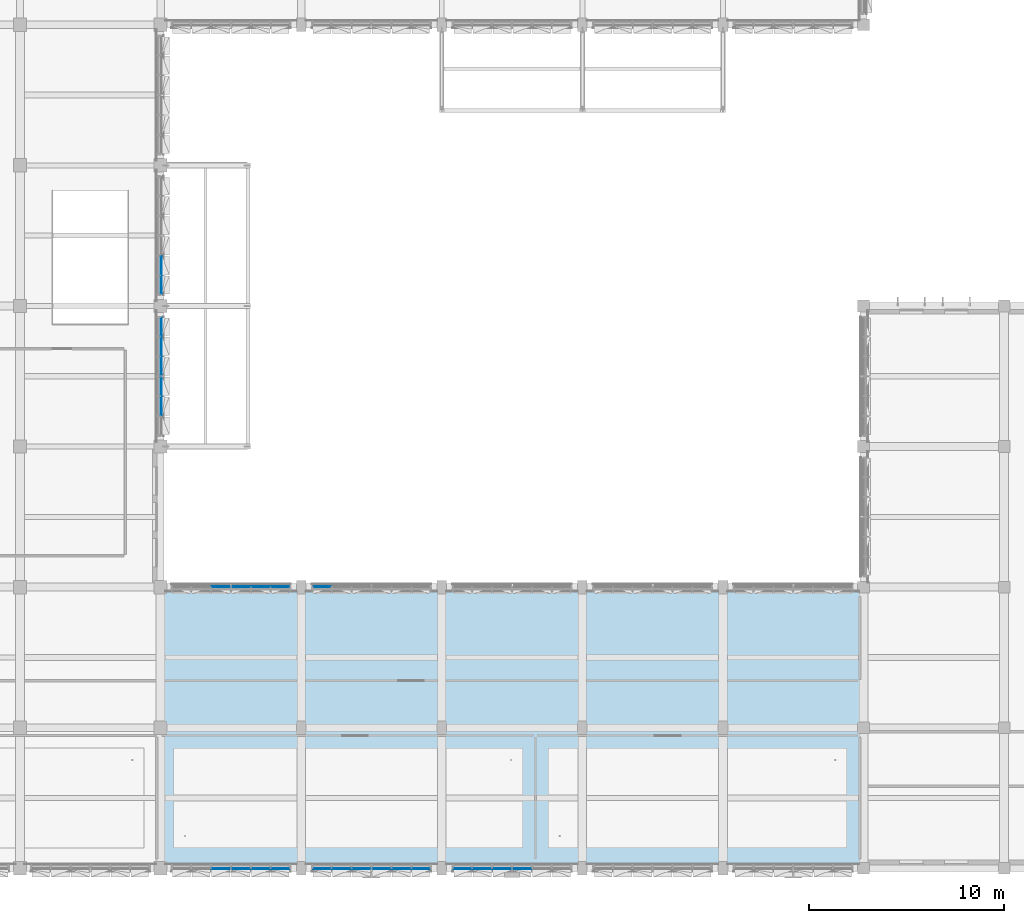
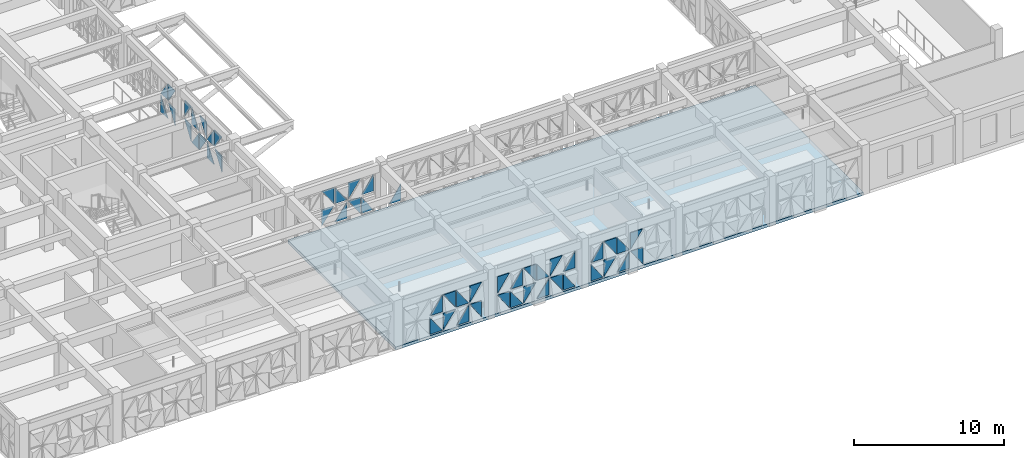
# One storey, part 30 of 88: 51 plates, 1 slab, 7 elements without a shape of their own.
"""IFC4 building model written with IfcOpenShell, lengths in metres."""

from ifc_helpers import new_model, si_unit, direction, frame, origin, place, context, subcontext, project, spatial, polyline, outline, extrude, material, layer, layer_set, type_object, element, aggregate, save


model = new_model("IFC4")

# Units and contexts
model_context = context("Model", 3, precision=1e-05, world=origin(), true_north=direction((0.0, 1.0)))
body_context = subcontext(model_context, "Body", "Model", "MODEL_VIEW")
ifc_project = project(units=[si_unit("LENGTHUNIT", "METRE"), si_unit("AREAUNIT", "SQUARE_METRE"), si_unit("VOLUMEUNIT", "CUBIC_METRE"), si_unit("PLANEANGLEUNIT", "RADIAN"), si_unit("MASSUNIT", "GRAM", prefix="KILO")], contexts=[model_context])

# Site, building, storey
site_placement = place(None, origin())
site = spatial("IfcSite", under=ifc_project, at=site_placement, CompositionType="ELEMENT")
building_placement = place(site_placement, origin())
building = spatial("IfcBuilding", under=site, at=building_placement, Name="Alvorim Cloister Faculty of Sciences", CompositionType="ELEMENT")
storey_placement = place(building_placement, frame((0.0, 0.0, 4.5)))
storey = spatial("IfcBuildingStorey", under=building, at=storey_placement, Name="L01", CompositionType="ELEMENT", Elevation=4.5)

# Curtain wall, plates
ifc_material_1 = material(Name="Aluminium and Low-E Glass Curtain Wall", Category="aluminium")
curtain_wall_type = type_object("IfcCurtainWallType", Name="CW-TRI-6120x3170", PredefinedType="USERDEFINED", material=ifc_material_1)
curtain_wall_1_placement = place(storey_placement, origin())
curtain_wall_1 = element("IfcCurtainWall", 1, at=curtain_wall_1_placement, inside=storey, type_object=curtain_wall_type, Name="L01 Diagonal Cassette Curtain Wall CW-0025", ObjectType="UNITISED CURTAIN WALL", PredefinedType="USERDEFINED")
ifc_material_2 = material(Name="Double Low-E Laminated Glass", Category="glass")
ifc_layer_1 = layer(ifc_material_2, 0.0400390625)
ifc_layer_set_1 = layer_set([ifc_layer_1], Name="Double Low-E Laminated Glass")
plate_type = type_object("IfcPlateType", Name="PN-GLZ-40", PredefinedType="CURTAIN_PANEL", material=ifc_layer_set_1)
plate_1_placement = place(storey_placement, frame((28.824951171875, 29.4150390625, 0.159912109375), z_axis=(0.0, 0.0, 1.0), x_axis=(0.0, 1.0, 0.0)))
plate_1 = element("IfcPlate", 2, at=plate_1_placement, type_object=plate_type, Name="Diagonal Glazed Triangle TRI-TL", PredefinedType="CURTAIN_PANEL", context=body_context, shape_type="SweptSolid", body=[
    extrude(outline(polyline([(0.905517578125, 1.344970703125), (0.0, 1.344970703125), (0.0, 0.001953125), (0.905517578125, 1.344970703125)])), frame((0.0, 0.02490234375, 0.0), z_axis=(0.0, -1.0, 0.0), x_axis=(1.0, 0.0, 0.0)), (0.0, 0.0, 1.0), 0.050048828125),
])
plate_2_placement = place(storey_placement, frame((28.824951171875, 29.4150390625, 1.6650390625), z_axis=(0.0, 0.0, 1.0), x_axis=(0.0, 1.0, 0.0)))
plate_2 = element("IfcPlate", 3, at=plate_2_placement, type_object=plate_type, Name="Diagonal Glazed Triangle TRI-TR", PredefinedType="CURTAIN_PANEL", context=body_context, shape_type="SweptSolid", body=[
    extrude(outline(polyline([(0.907470703125, 0.001953125), (0.907470703125, 1.344970703125), (0.001953125, 1.344970703125), (0.907470703125, 0.001953125)])), frame((0.0, 0.02490234375, 0.0), z_axis=(0.0, -1.0, 0.0), x_axis=(1.0, 0.0, 0.0)), (0.0, 0.0, 1.0), 0.050048828125),
])
plate_3_placement = place(storey_placement, frame((28.824951171875, 30.3974609375, 0.159912109375), z_axis=(0.0, 0.0, 1.0), x_axis=(0.0, 1.0, 0.0)))
plate_3 = element("IfcPlate", 4, at=plate_3_placement, type_object=plate_type, Name="Diagonal Glazed Triangle TRI-BR", PredefinedType="CURTAIN_PANEL", context=body_context, shape_type="SweptSolid", body=[
    extrude(outline(polyline([(0.001953125, 0.0), (0.945068359375, 0.0), (0.945068359375, 1.343017578125), (0.001953125, 0.0)])), frame((0.0, 0.02490234375, 0.0), z_axis=(0.0, -1.0, 0.0), x_axis=(1.0, 0.0, 0.0)), (0.0, 0.0, 1.0), 0.050048828125),
])
plate_4_placement = place(storey_placement, frame((28.824951171875, 30.3974609375, 1.6650390625), z_axis=(0.0, 0.0, 1.0), x_axis=(0.0, 1.0, 0.0)))
plate_4 = element("IfcPlate", 5, at=plate_4_placement, type_object=plate_type, Name="Diagonal Glazed Triangle TRI-BL", PredefinedType="CURTAIN_PANEL", context=body_context, shape_type="SweptSolid", body=[
    extrude(outline(polyline([(0.0, 0.0), (0.943115234375, 0.0), (0.0, 1.343017578125), (0.0, 0.0)])), frame((0.0, 0.02490234375, 0.0), z_axis=(0.0, -1.0, 0.0), x_axis=(1.0, 0.0, 0.0)), (0.0, 0.0, 1.0), 0.050048828125),
])
aggregate(curtain_wall_1, [plate_1, plate_2, plate_3, plate_4])

curtain_wall_2_placement = place(storey_placement, origin())
curtain_wall_2 = element("IfcCurtainWall", 6, at=curtain_wall_2_placement, inside=storey, type_object=curtain_wall_type, Name="L01 Diagonal Cassette Curtain Wall CW-0026", ObjectType="UNITISED CURTAIN WALL", PredefinedType="USERDEFINED")
plate_5_placement = place(storey_placement, frame((28.824951171875, 23.197509765625, 0.159912109375), z_axis=(0.0, 0.0, 1.0), x_axis=(0.0, 1.0, 0.0)))
plate_5 = element("IfcPlate", 7, at=plate_5_placement, type_object=plate_type, Name="Diagonal Glazed Triangle TRI-TL", PredefinedType="CURTAIN_PANEL", context=body_context, shape_type="SweptSolid", body=[
    extrude(outline(polyline([(0.943115234375, 1.344970703125), (0.0, 1.344970703125), (0.0, 0.001953125), (0.943115234375, 1.344970703125)])), frame((0.0, 0.02490234375, 0.0), z_axis=(0.0, -1.0, 0.0), x_axis=(1.0, 0.0, 0.0)), (0.0, 0.0, 1.0), 0.050048828125),
])
plate_6_placement = place(storey_placement, frame((28.824951171875, 23.197509765625, 1.6650390625), z_axis=(0.0, 0.0, 1.0), x_axis=(0.0, 1.0, 0.0)))
plate_6 = element("IfcPlate", 8, at=plate_6_placement, type_object=plate_type, Name="Diagonal Glazed Triangle TRI-TR", PredefinedType="CURTAIN_PANEL", context=body_context, shape_type="SweptSolid", body=[
    extrude(outline(polyline([(0.945068359375, 0.001953125), (0.945068359375, 1.344970703125), (0.001953125, 1.344970703125), (0.945068359375, 0.001953125)])), frame((0.0, 0.02490234375, 0.0), z_axis=(0.0, -1.0, 0.0), x_axis=(1.0, 0.0, 0.0)), (0.0, 0.0, 1.0), 0.050048828125),
])
plate_7_placement = place(storey_placement, frame((28.824951171875, 24.217529296875, 0.159912109375), z_axis=(0.0, 0.0, 1.0), x_axis=(0.0, 1.0, 0.0)))
plate_7 = element("IfcPlate", 9, at=plate_7_placement, type_object=plate_type, Name="Diagonal Glazed Triangle TRI-BR", PredefinedType="CURTAIN_PANEL", context=body_context, shape_type="SweptSolid", body=[
    extrude(outline(polyline([(0.001953125, 0.0), (0.945068359375, 0.0), (0.945068359375, 1.343017578125), (0.001953125, 0.0)])), frame((0.0, 0.02490234375, 0.0), z_axis=(0.0, -1.0, 0.0), x_axis=(1.0, 0.0, 0.0)), (0.0, 0.0, 1.0), 0.050048828125),
])
plate_8_placement = place(storey_placement, frame((28.824951171875, 24.217529296875, 1.6650390625), z_axis=(0.0, 0.0, 1.0), x_axis=(0.0, 1.0, 0.0)))
plate_8 = element("IfcPlate", 10, at=plate_8_placement, type_object=plate_type, Name="Diagonal Glazed Triangle TRI-BL", PredefinedType="CURTAIN_PANEL", context=body_context, shape_type="SweptSolid", body=[
    extrude(outline(polyline([(0.0, 0.0), (0.943115234375, 0.0), (0.0, 1.343017578125), (0.0, 0.0)])), frame((0.0, 0.02490234375, 0.0), z_axis=(0.0, -1.0, 0.0), x_axis=(1.0, 0.0, 0.0)), (0.0, 0.0, 1.0), 0.050048828125),
])
plate_9_placement = place(storey_placement, frame((28.824951171875, 25.237548828125, 0.159912109375), z_axis=(0.0, 0.0, 1.0), x_axis=(0.0, 1.0, 0.0)))
plate_9 = element("IfcPlate", 11, at=plate_9_placement, type_object=plate_type, Name="Diagonal Glazed Triangle TRI-TR", PredefinedType="CURTAIN_PANEL", context=body_context, shape_type="SweptSolid", body=[
    extrude(outline(polyline([(0.945068359375, 0.001953125), (0.945068359375, 1.344970703125), (0.001953125, 1.344970703125), (0.945068359375, 0.001953125)])), frame((0.0, 0.02490234375, 0.0), z_axis=(0.0, -1.0, 0.0), x_axis=(1.0, 0.0, 0.0)), (0.0, 0.0, 1.0), 0.050048828125),
])
plate_10_placement = place(storey_placement, frame((28.824951171875, 25.237548828125, 1.6650390625), z_axis=(0.0, 0.0, 1.0), x_axis=(0.0, 1.0, 0.0)))
plate_10 = element("IfcPlate", 12, at=plate_10_placement, type_object=plate_type, Name="Diagonal Glazed Triangle TRI-TL", PredefinedType="CURTAIN_PANEL", context=body_context, shape_type="SweptSolid", body=[
    extrude(outline(polyline([(0.943115234375, 1.344970703125), (0.0, 1.344970703125), (0.0, 0.001953125), (0.943115234375, 1.344970703125)])), frame((0.0, 0.02490234375, 0.0), z_axis=(0.0, -1.0, 0.0), x_axis=(1.0, 0.0, 0.0)), (0.0, 0.0, 1.0), 0.050048828125),
])
plate_11_placement = place(storey_placement, frame((28.824951171875, 26.257568359375, 0.159912109375), z_axis=(0.0, 0.0, 1.0), x_axis=(0.0, 1.0, 0.0)))
plate_11 = element("IfcPlate", 13, at=plate_11_placement, type_object=plate_type, Name="Diagonal Glazed Triangle TRI-BL", PredefinedType="CURTAIN_PANEL", context=body_context, shape_type="SweptSolid", body=[
    extrude(outline(polyline([(0.0, 0.0), (0.943115234375, 0.0), (0.0, 1.343017578125), (0.0, 0.0)])), frame((0.0, 0.02490234375, 0.0), z_axis=(0.0, -1.0, 0.0), x_axis=(1.0, 0.0, 0.0)), (0.0, 0.0, 1.0), 0.050048828125),
])
plate_12_placement = place(storey_placement, frame((28.824951171875, 26.257568359375, 1.6650390625), z_axis=(0.0, 0.0, 1.0), x_axis=(0.0, 1.0, 0.0)))
plate_12 = element("IfcPlate", 14, at=plate_12_placement, type_object=plate_type, Name="Diagonal Glazed Triangle TRI-BR", PredefinedType="CURTAIN_PANEL", context=body_context, shape_type="SweptSolid", body=[
    extrude(outline(polyline([(0.001953125, 0.0), (0.945068359375, 0.0), (0.945068359375, 1.343017578125), (0.001953125, 0.0)])), frame((0.0, 0.02490234375, 0.0), z_axis=(0.0, -1.0, 0.0), x_axis=(1.0, 0.0, 0.0)), (0.0, 0.0, 1.0), 0.050048828125),
])
plate_13_placement = place(storey_placement, frame((28.824951171875, 27.277587890625, 0.159912109375), z_axis=(0.0, 0.0, 1.0), x_axis=(0.0, 1.0, 0.0)))
plate_13 = element("IfcPlate", 15, at=plate_13_placement, type_object=plate_type, Name="Diagonal Glazed Triangle TRI-TL", PredefinedType="CURTAIN_PANEL", context=body_context, shape_type="SweptSolid", body=[
    extrude(outline(polyline([(0.905517578125, 1.344970703125), (0.0, 1.344970703125), (0.0, 0.001953125), (0.905517578125, 1.344970703125)])), frame((0.0, 0.02490234375, 0.0), z_axis=(0.0, -1.0, 0.0), x_axis=(1.0, 0.0, 0.0)), (0.0, 0.0, 1.0), 0.050048828125),
])
plate_14_placement = place(storey_placement, frame((28.824951171875, 27.277587890625, 1.6650390625), z_axis=(0.0, 0.0, 1.0), x_axis=(0.0, 1.0, 0.0)))
plate_14 = element("IfcPlate", 16, at=plate_14_placement, type_object=plate_type, Name="Diagonal Glazed Triangle TRI-TR", PredefinedType="CURTAIN_PANEL", context=body_context, shape_type="SweptSolid", body=[
    extrude(outline(polyline([(0.907470703125, 0.001953125), (0.907470703125, 1.344970703125), (0.001953125, 1.344970703125), (0.907470703125, 0.001953125)])), frame((0.0, 0.02490234375, 0.0), z_axis=(0.0, -1.0, 0.0), x_axis=(1.0, 0.0, 0.0)), (0.0, 0.0, 1.0), 0.050048828125),
])
aggregate(curtain_wall_2, [plate_5, plate_6, plate_7, plate_8, plate_9, plate_10, plate_11, plate_12, plate_13, plate_14])

curtain_wall_3_placement = place(storey_placement, origin())
curtain_wall_3 = element("IfcCurtainWall", 17, at=curtain_wall_3_placement, inside=storey, type_object=curtain_wall_type, Name="L01 Diagonal Cassette Curtain Wall CW-0027", ObjectType="UNITISED CURTAIN WALL", PredefinedType="USERDEFINED")
plate_15_placement = place(storey_placement, frame((31.41748046875, 14.425048828125, 0.159912109375), z_axis=(0.0, 0.0, 1.0), x_axis=(1.0, 0.0, 0.0)))
plate_15 = element("IfcPlate", 18, at=plate_15_placement, type_object=plate_type, Name="Diagonal Glazed Triangle TRI-TL", PredefinedType="CURTAIN_PANEL", context=body_context, shape_type="SweptSolid", body=[
    extrude(outline(polyline([(0.943115234375, 1.344970703125), (0.0, 1.344970703125), (0.0, 0.001953125), (0.943115234375, 1.344970703125)])), frame((0.0, 0.02490234375, 0.0), z_axis=(0.0, -1.0, 0.0), x_axis=(1.0, 0.0, 0.0)), (0.0, 0.0, 1.0), 0.050048828125),
])
plate_16_placement = place(storey_placement, frame((31.41748046875, 14.425048828125, 1.6650390625), z_axis=(0.0, 0.0, 1.0), x_axis=(1.0, 0.0, 0.0)))
plate_16 = element("IfcPlate", 19, at=plate_16_placement, type_object=plate_type, Name="Diagonal Glazed Triangle TRI-TR", PredefinedType="CURTAIN_PANEL", context=body_context, shape_type="SweptSolid", body=[
    extrude(outline(polyline([(0.945068359375, 0.001953125), (0.945068359375, 1.344970703125), (0.001953125, 1.344970703125), (0.945068359375, 0.001953125)])), frame((0.0, 0.02490234375, 0.0), z_axis=(0.0, -1.0, 0.0), x_axis=(1.0, 0.0, 0.0)), (0.0, 0.0, 1.0), 0.050048828125),
])
plate_17_placement = place(storey_placement, frame((32.4375, 14.425048828125, 0.159912109375), z_axis=(0.0, 0.0, 1.0), x_axis=(1.0, 0.0, 0.0)))
plate_17 = element("IfcPlate", 20, at=plate_17_placement, type_object=plate_type, Name="Diagonal Glazed Triangle TRI-BR", PredefinedType="CURTAIN_PANEL", context=body_context, shape_type="SweptSolid", body=[
    extrude(outline(polyline([(0.001953125, 0.0), (0.945068359375, 0.0), (0.945068359375, 1.343017578125), (0.001953125, 0.0)])), frame((0.0, 0.02490234375, 0.0), z_axis=(0.0, -1.0, 0.0), x_axis=(1.0, 0.0, 0.0)), (0.0, 0.0, 1.0), 0.050048828125),
])
plate_18_placement = place(storey_placement, frame((32.4375, 14.425048828125, 1.6650390625), z_axis=(0.0, 0.0, 1.0), x_axis=(1.0, 0.0, 0.0)))
plate_18 = element("IfcPlate", 21, at=plate_18_placement, type_object=plate_type, Name="Diagonal Glazed Triangle TRI-BL", PredefinedType="CURTAIN_PANEL", context=body_context, shape_type="SweptSolid", body=[
    extrude(outline(polyline([(0.0, 0.0), (0.943115234375, 0.0), (0.0, 1.343017578125), (0.0, 0.0)])), frame((0.0, 0.02490234375, 0.0), z_axis=(0.0, -1.0, 0.0), x_axis=(1.0, 0.0, 0.0)), (0.0, 0.0, 1.0), 0.050048828125),
])
plate_19_placement = place(storey_placement, frame((33.45751953125, 14.425048828125, 0.159912109375), z_axis=(0.0, 0.0, 1.0), x_axis=(1.0, 0.0, 0.0)))
plate_19 = element("IfcPlate", 22, at=plate_19_placement, type_object=plate_type, Name="Diagonal Glazed Triangle TRI-TR", PredefinedType="CURTAIN_PANEL", context=body_context, shape_type="SweptSolid", body=[
    extrude(outline(polyline([(0.945068359375, 0.001953125), (0.945068359375, 1.344970703125), (0.001953125, 1.344970703125), (0.945068359375, 0.001953125)])), frame((0.0, 0.02490234375, 0.0), z_axis=(0.0, -1.0, 0.0), x_axis=(1.0, 0.0, 0.0)), (0.0, 0.0, 1.0), 0.050048828125),
])
plate_20_placement = place(storey_placement, frame((33.45751953125, 14.425048828125, 1.6650390625), z_axis=(0.0, 0.0, 1.0), x_axis=(1.0, 0.0, 0.0)))
plate_20 = element("IfcPlate", 23, at=plate_20_placement, type_object=plate_type, Name="Diagonal Glazed Triangle TRI-TL", PredefinedType="CURTAIN_PANEL", context=body_context, shape_type="SweptSolid", body=[
    extrude(outline(polyline([(0.943115234375, 1.344970703125), (0.0, 1.344970703125), (0.0, 0.001953125), (0.943115234375, 1.344970703125)])), frame((0.0, 0.02490234375, 0.0), z_axis=(0.0, -1.0, 0.0), x_axis=(1.0, 0.0, 0.0)), (0.0, 0.0, 1.0), 0.050048828125),
])
plate_21_placement = place(storey_placement, frame((34.4775390625, 14.425048828125, 0.159912109375), z_axis=(0.0, 0.0, 1.0), x_axis=(1.0, 0.0, 0.0)))
plate_21 = element("IfcPlate", 24, at=plate_21_placement, type_object=plate_type, Name="Diagonal Glazed Triangle TRI-BL", PredefinedType="CURTAIN_PANEL", context=body_context, shape_type="SweptSolid", body=[
    extrude(outline(polyline([(0.0, 0.0), (0.905517578125, 0.0), (0.0, 1.343017578125), (0.0, 0.0)])), frame((0.0, 0.02490234375, 0.0), z_axis=(0.0, -1.0, 0.0), x_axis=(1.0, 0.0, 0.0)), (0.0, 0.0, 1.0), 0.050048828125),
])
plate_22_placement = place(storey_placement, frame((34.4775390625, 14.425048828125, 1.6650390625), z_axis=(0.0, 0.0, 1.0), x_axis=(1.0, 0.0, 0.0)))
plate_22 = element("IfcPlate", 25, at=plate_22_placement, type_object=plate_type, Name="Diagonal Glazed Triangle TRI-BR", PredefinedType="CURTAIN_PANEL", context=body_context, shape_type="SweptSolid", body=[
    extrude(outline(polyline([(0.001953125, 0.0), (0.907470703125, 0.0), (0.907470703125, 1.343017578125), (0.001953125, 0.0)])), frame((0.0, 0.02490234375, 0.0), z_axis=(0.0, -1.0, 0.0), x_axis=(1.0, 0.0, 0.0)), (0.0, 0.0, 1.0), 0.050048828125),
])
aggregate(curtain_wall_3, [plate_15, plate_16, plate_17, plate_18, plate_19, plate_20, plate_21, plate_22])

# Curtain wall, plate
curtain_wall_4_placement = place(storey_placement, origin())
curtain_wall_4 = element("IfcCurtainWall", 26, at=curtain_wall_4_placement, inside=storey, type_object=curtain_wall_type, Name="L01 Diagonal Cassette Curtain Wall CW-0028", ObjectType="UNITISED CURTAIN WALL", PredefinedType="USERDEFINED")
plate_23_placement = place(storey_placement, frame((36.614990234375, 14.425048828125, 0.159912109375), z_axis=(0.0, 0.0, 1.0), x_axis=(1.0, 0.0, 0.0)))
plate_23 = element("IfcPlate", 27, at=plate_23_placement, type_object=plate_type, Name="Diagonal Glazed Triangle TRI-BR", PredefinedType="CURTAIN_PANEL", context=body_context, shape_type="SweptSolid", body=[
    extrude(outline(polyline([(0.001953125, 0.0), (0.907470703125, 0.0), (0.907470703125, 1.343017578125), (0.001953125, 0.0)])), frame((0.0, 0.02490234375, 0.0), z_axis=(0.0, -1.0, 0.0), x_axis=(1.0, 0.0, 0.0)), (0.0, 0.0, 1.0), 0.050048828125),
])
aggregate(curtain_wall_4, [plate_23])

# Curtain wall, plates
curtain_wall_5_placement = place(storey_placement, origin())
curtain_wall_5 = element("IfcCurtainWall", 28, at=curtain_wall_5_placement, inside=storey, type_object=curtain_wall_type, Name="L01 Diagonal Cassette Curtain Wall CW-0042", ObjectType="UNITISED CURTAIN WALL", PredefinedType="USERDEFINED")
plate_24_placement = place(storey_placement, frame((43.81494140625, -0.02490234375, 0.159912109375), z_axis=(0.0, 0.0, 1.0), x_axis=(1.0, 0.0, 0.0)))
plate_24 = element("IfcPlate", 29, at=plate_24_placement, type_object=plate_type, Name="Diagonal Glazed Triangle TRI-BL", PredefinedType="CURTAIN_PANEL", context=body_context, shape_type="SweptSolid", body=[
    extrude(outline(polyline([(0.0, 0.0), (0.905517578125, 0.0), (0.0, 1.343017578125), (0.0, 0.0)])), frame((0.0, 0.02490234375, 0.0), z_axis=(0.0, -1.0, 0.0), x_axis=(1.0, 0.0, 0.0)), (0.0, 0.0, 1.0), 0.050048828125),
])
plate_25_placement = place(storey_placement, frame((43.81494140625, -0.02490234375, 1.6650390625), z_axis=(0.0, 0.0, 1.0), x_axis=(1.0, 0.0, 0.0)))
plate_25 = element("IfcPlate", 30, at=plate_25_placement, type_object=plate_type, Name="Diagonal Glazed Triangle TRI-BR", PredefinedType="CURTAIN_PANEL", context=body_context, shape_type="SweptSolid", body=[
    extrude(outline(polyline([(0.001953125, 0.0), (0.907470703125, 0.0), (0.907470703125, 1.343017578125), (0.001953125, 0.0)])), frame((0.0, 0.02490234375, 0.0), z_axis=(0.0, -1.0, 0.0), x_axis=(1.0, 0.0, 0.0)), (0.0, 0.0, 1.0), 0.050048828125),
])
plate_26_placement = place(storey_placement, frame((44.797607421875, -0.02490234375, 0.159912109375), z_axis=(0.0, 0.0, 1.0), x_axis=(1.0, 0.0, 0.0)))
plate_26 = element("IfcPlate", 31, at=plate_26_placement, type_object=plate_type, Name="Diagonal Glazed Triangle TRI-TL", PredefinedType="CURTAIN_PANEL", context=body_context, shape_type="SweptSolid", body=[
    extrude(outline(polyline([(0.943115234375, 1.344970703125), (0.0, 1.344970703125), (0.0, 0.001953125), (0.943115234375, 1.344970703125)])), frame((0.0, 0.02490234375, 0.0), z_axis=(0.0, -1.0, 0.0), x_axis=(1.0, 0.0, 0.0)), (0.0, 0.0, 1.0), 0.050048828125),
])
plate_27_placement = place(storey_placement, frame((44.797607421875, -0.02490234375, 1.6650390625), z_axis=(0.0, 0.0, 1.0), x_axis=(1.0, 0.0, 0.0)))
plate_27 = element("IfcPlate", 32, at=plate_27_placement, type_object=plate_type, Name="Diagonal Glazed Triangle TRI-TR", PredefinedType="CURTAIN_PANEL", context=body_context, shape_type="SweptSolid", body=[
    extrude(outline(polyline([(0.945068359375, 0.001953125), (0.945068359375, 1.344970703125), (0.001953125, 1.344970703125), (0.945068359375, 0.001953125)])), frame((0.0, 0.02490234375, 0.0), z_axis=(0.0, -1.0, 0.0), x_axis=(1.0, 0.0, 0.0)), (0.0, 0.0, 1.0), 0.050048828125),
])
plate_28_placement = place(storey_placement, frame((45.8173828125, -0.02490234375, 0.159912109375), z_axis=(0.0, 0.0, 1.0), x_axis=(1.0, 0.0, 0.0)))
plate_28 = element("IfcPlate", 33, at=plate_28_placement, type_object=plate_type, Name="Diagonal Glazed Triangle TRI-BR", PredefinedType="CURTAIN_PANEL", context=body_context, shape_type="SweptSolid", body=[
    extrude(outline(polyline([(0.001953125, 0.0), (0.945068359375, 0.0), (0.945068359375, 1.343017578125), (0.001953125, 0.0)])), frame((0.0, 0.02490234375, 0.0), z_axis=(0.0, -1.0, 0.0), x_axis=(1.0, 0.0, 0.0)), (0.0, 0.0, 1.0), 0.050048828125),
])
plate_29_placement = place(storey_placement, frame((45.8173828125, -0.02490234375, 1.6650390625), z_axis=(0.0, 0.0, 1.0), x_axis=(1.0, 0.0, 0.0)))
plate_29 = element("IfcPlate", 34, at=plate_29_placement, type_object=plate_type, Name="Diagonal Glazed Triangle TRI-BL", PredefinedType="CURTAIN_PANEL", context=body_context, shape_type="SweptSolid", body=[
    extrude(outline(polyline([(0.0, 0.0), (0.943115234375, 0.0), (0.0, 1.343017578125), (0.0, 0.0)])), frame((0.0, 0.02490234375, 0.0), z_axis=(0.0, -1.0, 0.0), x_axis=(1.0, 0.0, 0.0)), (0.0, 0.0, 1.0), 0.050048828125),
])
plate_30_placement = place(storey_placement, frame((46.83740234375, -0.02490234375, 0.159912109375), z_axis=(0.0, 0.0, 1.0), x_axis=(1.0, 0.0, 0.0)))
plate_30 = element("IfcPlate", 35, at=plate_30_placement, type_object=plate_type, Name="Diagonal Glazed Triangle TRI-TR", PredefinedType="CURTAIN_PANEL", context=body_context, shape_type="SweptSolid", body=[
    extrude(outline(polyline([(0.945068359375, 0.001953125), (0.945068359375, 1.344970703125), (0.001953125, 1.344970703125), (0.945068359375, 0.001953125)])), frame((0.0, 0.02490234375, 0.0), z_axis=(0.0, -1.0, 0.0), x_axis=(1.0, 0.0, 0.0)), (0.0, 0.0, 1.0), 0.050048828125),
])
plate_31_placement = place(storey_placement, frame((46.83740234375, -0.02490234375, 1.6650390625), z_axis=(0.0, 0.0, 1.0), x_axis=(1.0, 0.0, 0.0)))
plate_31 = element("IfcPlate", 36, at=plate_31_placement, type_object=plate_type, Name="Diagonal Glazed Triangle TRI-TL", PredefinedType="CURTAIN_PANEL", context=body_context, shape_type="SweptSolid", body=[
    extrude(outline(polyline([(0.943115234375, 1.344970703125), (0.0, 1.344970703125), (0.0, 0.001953125), (0.943115234375, 1.344970703125)])), frame((0.0, 0.02490234375, 0.0), z_axis=(0.0, -1.0, 0.0), x_axis=(1.0, 0.0, 0.0)), (0.0, 0.0, 1.0), 0.050048828125),
])
aggregate(curtain_wall_5, [plate_24, plate_25, plate_26, plate_27, plate_28, plate_29, plate_30, plate_31])

curtain_wall_6_placement = place(storey_placement, origin())
curtain_wall_6 = element("IfcCurtainWall", 37, at=curtain_wall_6_placement, inside=storey, type_object=curtain_wall_type, Name="L01 Diagonal Cassette Curtain Wall CW-0043", ObjectType="UNITISED CURTAIN WALL", PredefinedType="USERDEFINED")
plate_32_placement = place(storey_placement, frame((36.614990234375, -0.02490234375, 0.159912109375), z_axis=(0.0, 0.0, 1.0), x_axis=(1.0, 0.0, 0.0)))
plate_32 = element("IfcPlate", 38, at=plate_32_placement, type_object=plate_type, Name="Diagonal Glazed Triangle TRI-TR", PredefinedType="CURTAIN_PANEL", context=body_context, shape_type="SweptSolid", body=[
    extrude(outline(polyline([(0.907470703125, 0.001953125), (0.907470703125, 1.344970703125), (0.001953125, 1.344970703125), (0.907470703125, 0.001953125)])), frame((0.0, 0.02490234375, 0.0), z_axis=(0.0, -1.0, 0.0), x_axis=(1.0, 0.0, 0.0)), (0.0, 0.0, 1.0), 0.050048828125),
])
plate_33_placement = place(storey_placement, frame((36.614990234375, -0.02490234375, 1.6650390625), z_axis=(0.0, 0.0, 1.0), x_axis=(1.0, 0.0, 0.0)))
plate_33 = element("IfcPlate", 39, at=plate_33_placement, type_object=plate_type, Name="Diagonal Glazed Triangle TRI-TL", PredefinedType="CURTAIN_PANEL", context=body_context, shape_type="SweptSolid", body=[
    extrude(outline(polyline([(0.905517578125, 1.344970703125), (0.0, 1.344970703125), (0.0, 0.001953125), (0.905517578125, 1.344970703125)])), frame((0.0, 0.02490234375, 0.0), z_axis=(0.0, -1.0, 0.0), x_axis=(1.0, 0.0, 0.0)), (0.0, 0.0, 1.0), 0.050048828125),
])
plate_34_placement = place(storey_placement, frame((37.597412109375, -0.02490234375, 0.159912109375), z_axis=(0.0, 0.0, 1.0), x_axis=(1.0, 0.0, 0.0)))
plate_34 = element("IfcPlate", 40, at=plate_34_placement, type_object=plate_type, Name="Diagonal Glazed Triangle TRI-BL", PredefinedType="CURTAIN_PANEL", context=body_context, shape_type="SweptSolid", body=[
    extrude(outline(polyline([(0.0, 0.0), (0.943115234375, 0.0), (0.0, 1.343017578125), (0.0, 0.0)])), frame((0.0, 0.02490234375, 0.0), z_axis=(0.0, -1.0, 0.0), x_axis=(1.0, 0.0, 0.0)), (0.0, 0.0, 1.0), 0.050048828125),
])
plate_35_placement = place(storey_placement, frame((37.597412109375, -0.02490234375, 1.6650390625), z_axis=(0.0, 0.0, 1.0), x_axis=(1.0, 0.0, 0.0)))
plate_35 = element("IfcPlate", 41, at=plate_35_placement, type_object=plate_type, Name="Diagonal Glazed Triangle TRI-BR", PredefinedType="CURTAIN_PANEL", context=body_context, shape_type="SweptSolid", body=[
    extrude(outline(polyline([(0.001953125, 0.0), (0.945068359375, 0.0), (0.945068359375, 1.343017578125), (0.001953125, 0.0)])), frame((0.0, 0.02490234375, 0.0), z_axis=(0.0, -1.0, 0.0), x_axis=(1.0, 0.0, 0.0)), (0.0, 0.0, 1.0), 0.050048828125),
])
plate_36_placement = place(storey_placement, frame((38.617431640625, -0.02490234375, 0.159912109375), z_axis=(0.0, 0.0, 1.0), x_axis=(1.0, 0.0, 0.0)))
plate_36 = element("IfcPlate", 42, at=plate_36_placement, type_object=plate_type, Name="Diagonal Glazed Triangle TRI-TL", PredefinedType="CURTAIN_PANEL", context=body_context, shape_type="SweptSolid", body=[
    extrude(outline(polyline([(0.943115234375, 1.344970703125), (0.0, 1.344970703125), (0.0, 0.001953125), (0.943115234375, 1.344970703125)])), frame((0.0, 0.02490234375, 0.0), z_axis=(0.0, -1.0, 0.0), x_axis=(1.0, 0.0, 0.0)), (0.0, 0.0, 1.0), 0.050048828125),
])
plate_37_placement = place(storey_placement, frame((38.617431640625, -0.02490234375, 1.6650390625), z_axis=(0.0, 0.0, 1.0), x_axis=(1.0, 0.0, 0.0)))
plate_37 = element("IfcPlate", 43, at=plate_37_placement, type_object=plate_type, Name="Diagonal Glazed Triangle TRI-TR", PredefinedType="CURTAIN_PANEL", context=body_context, shape_type="SweptSolid", body=[
    extrude(outline(polyline([(0.945068359375, 0.001953125), (0.945068359375, 1.344970703125), (0.001953125, 1.344970703125), (0.945068359375, 0.001953125)])), frame((0.0, 0.02490234375, 0.0), z_axis=(0.0, -1.0, 0.0), x_axis=(1.0, 0.0, 0.0)), (0.0, 0.0, 1.0), 0.050048828125),
])
plate_38_placement = place(storey_placement, frame((39.637451171875, -0.02490234375, 0.159912109375), z_axis=(0.0, 0.0, 1.0), x_axis=(1.0, 0.0, 0.0)))
plate_38 = element("IfcPlate", 44, at=plate_38_placement, type_object=plate_type, Name="Diagonal Glazed Triangle TRI-BR", PredefinedType="CURTAIN_PANEL", context=body_context, shape_type="SweptSolid", body=[
    extrude(outline(polyline([(0.001953125, 0.0), (0.945068359375, 0.0), (0.945068359375, 1.343017578125), (0.001953125, 0.0)])), frame((0.0, 0.02490234375, 0.0), z_axis=(0.0, -1.0, 0.0), x_axis=(1.0, 0.0, 0.0)), (0.0, 0.0, 1.0), 0.050048828125),
])
plate_39_placement = place(storey_placement, frame((39.637451171875, -0.02490234375, 1.6650390625), z_axis=(0.0, 0.0, 1.0), x_axis=(1.0, 0.0, 0.0)))
plate_39 = element("IfcPlate", 45, at=plate_39_placement, type_object=plate_type, Name="Diagonal Glazed Triangle TRI-BL", PredefinedType="CURTAIN_PANEL", context=body_context, shape_type="SweptSolid", body=[
    extrude(outline(polyline([(0.0, 0.0), (0.943115234375, 0.0), (0.0, 1.343017578125), (0.0, 0.0)])), frame((0.0, 0.02490234375, 0.0), z_axis=(0.0, -1.0, 0.0), x_axis=(1.0, 0.0, 0.0)), (0.0, 0.0, 1.0), 0.050048828125),
])
plate_40_placement = place(storey_placement, frame((40.657470703125, -0.02490234375, 0.159912109375), z_axis=(0.0, 0.0, 1.0), x_axis=(1.0, 0.0, 0.0)))
plate_40 = element("IfcPlate", 46, at=plate_40_placement, type_object=plate_type, Name="Diagonal Glazed Triangle TRI-TR", PredefinedType="CURTAIN_PANEL", context=body_context, shape_type="SweptSolid", body=[
    extrude(outline(polyline([(0.945068359375, 0.001953125), (0.945068359375, 1.344970703125), (0.001953125, 1.344970703125), (0.945068359375, 0.001953125)])), frame((0.0, 0.02490234375, 0.0), z_axis=(0.0, -1.0, 0.0), x_axis=(1.0, 0.0, 0.0)), (0.0, 0.0, 1.0), 0.050048828125),
])
plate_41_placement = place(storey_placement, frame((40.657470703125, -0.02490234375, 1.6650390625), z_axis=(0.0, 0.0, 1.0), x_axis=(1.0, 0.0, 0.0)))
plate_41 = element("IfcPlate", 47, at=plate_41_placement, type_object=plate_type, Name="Diagonal Glazed Triangle TRI-TL", PredefinedType="CURTAIN_PANEL", context=body_context, shape_type="SweptSolid", body=[
    extrude(outline(polyline([(0.943115234375, 1.344970703125), (0.0, 1.344970703125), (0.0, 0.001953125), (0.943115234375, 1.344970703125)])), frame((0.0, 0.02490234375, 0.0), z_axis=(0.0, -1.0, 0.0), x_axis=(1.0, 0.0, 0.0)), (0.0, 0.0, 1.0), 0.050048828125),
])
plate_42_placement = place(storey_placement, frame((41.677490234375, -0.02490234375, 0.159912109375), z_axis=(0.0, 0.0, 1.0), x_axis=(1.0, 0.0, 0.0)))
plate_42 = element("IfcPlate", 48, at=plate_42_placement, type_object=plate_type, Name="Diagonal Glazed Triangle TRI-BL", PredefinedType="CURTAIN_PANEL", context=body_context, shape_type="SweptSolid", body=[
    extrude(outline(polyline([(0.0, 0.0), (0.905517578125, 0.0), (0.0, 1.343017578125), (0.0, 0.0)])), frame((0.0, 0.02490234375, 0.0), z_axis=(0.0, -1.0, 0.0), x_axis=(1.0, 0.0, 0.0)), (0.0, 0.0, 1.0), 0.050048828125),
])
plate_43_placement = place(storey_placement, frame((41.677490234375, -0.02490234375, 1.6650390625), z_axis=(0.0, 0.0, 1.0), x_axis=(1.0, 0.0, 0.0)))
plate_43 = element("IfcPlate", 49, at=plate_43_placement, type_object=plate_type, Name="Diagonal Glazed Triangle TRI-BR", PredefinedType="CURTAIN_PANEL", context=body_context, shape_type="SweptSolid", body=[
    extrude(outline(polyline([(0.001953125, 0.0), (0.907470703125, 0.0), (0.907470703125, 1.343017578125), (0.001953125, 0.0)])), frame((0.0, 0.02490234375, 0.0), z_axis=(0.0, -1.0, 0.0), x_axis=(1.0, 0.0, 0.0)), (0.0, 0.0, 1.0), 0.050048828125),
])
aggregate(curtain_wall_6, [plate_32, plate_33, plate_34, plate_35, plate_36, plate_37, plate_38, plate_39, plate_40, plate_41, plate_42, plate_43])

curtain_wall_7_placement = place(storey_placement, origin())
curtain_wall_7 = element("IfcCurtainWall", 50, at=curtain_wall_7_placement, inside=storey, type_object=curtain_wall_type, Name="L01 Diagonal Cassette Curtain Wall CW-0044", ObjectType="UNITISED CURTAIN WALL", PredefinedType="USERDEFINED")
plate_44_placement = place(storey_placement, frame((31.41748046875, -0.02490234375, 0.159912109375), z_axis=(0.0, 0.0, 1.0), x_axis=(1.0, 0.0, 0.0)))
plate_44 = element("IfcPlate", 51, at=plate_44_placement, type_object=plate_type, Name="Diagonal Glazed Triangle TRI-BL", PredefinedType="CURTAIN_PANEL", context=body_context, shape_type="SweptSolid", body=[
    extrude(outline(polyline([(0.0, 0.0), (0.943115234375, 0.0), (0.0, 1.343017578125), (0.0, 0.0)])), frame((0.0, 0.02490234375, 0.0), z_axis=(0.0, -1.0, 0.0), x_axis=(1.0, 0.0, 0.0)), (0.0, 0.0, 1.0), 0.050048828125),
])
plate_45_placement = place(storey_placement, frame((31.41748046875, -0.02490234375, 1.6650390625), z_axis=(0.0, 0.0, 1.0), x_axis=(1.0, 0.0, 0.0)))
plate_45 = element("IfcPlate", 52, at=plate_45_placement, type_object=plate_type, Name="Diagonal Glazed Triangle TRI-BR", PredefinedType="CURTAIN_PANEL", context=body_context, shape_type="SweptSolid", body=[
    extrude(outline(polyline([(0.001953125, 0.0), (0.945068359375, 0.0), (0.945068359375, 1.343017578125), (0.001953125, 0.0)])), frame((0.0, 0.02490234375, 0.0), z_axis=(0.0, -1.0, 0.0), x_axis=(1.0, 0.0, 0.0)), (0.0, 0.0, 1.0), 0.050048828125),
])
plate_46_placement = place(storey_placement, frame((32.4375, -0.02490234375, 0.159912109375), z_axis=(0.0, 0.0, 1.0), x_axis=(1.0, 0.0, 0.0)))
plate_46 = element("IfcPlate", 53, at=plate_46_placement, type_object=plate_type, Name="Diagonal Glazed Triangle TRI-TL", PredefinedType="CURTAIN_PANEL", context=body_context, shape_type="SweptSolid", body=[
    extrude(outline(polyline([(0.943115234375, 1.344970703125), (0.0, 1.344970703125), (0.0, 0.001953125), (0.943115234375, 1.344970703125)])), frame((0.0, 0.02490234375, 0.0), z_axis=(0.0, -1.0, 0.0), x_axis=(1.0, 0.0, 0.0)), (0.0, 0.0, 1.0), 0.050048828125),
])
plate_47_placement = place(storey_placement, frame((32.4375, -0.02490234375, 1.6650390625), z_axis=(0.0, 0.0, 1.0), x_axis=(1.0, 0.0, 0.0)))
plate_47 = element("IfcPlate", 54, at=plate_47_placement, type_object=plate_type, Name="Diagonal Glazed Triangle TRI-TR", PredefinedType="CURTAIN_PANEL", context=body_context, shape_type="SweptSolid", body=[
    extrude(outline(polyline([(0.945068359375, 0.001953125), (0.945068359375, 1.344970703125), (0.001953125, 1.344970703125), (0.945068359375, 0.001953125)])), frame((0.0, 0.02490234375, 0.0), z_axis=(0.0, -1.0, 0.0), x_axis=(1.0, 0.0, 0.0)), (0.0, 0.0, 1.0), 0.050048828125),
])
plate_48_placement = place(storey_placement, frame((33.45751953125, -0.02490234375, 0.159912109375), z_axis=(0.0, 0.0, 1.0), x_axis=(1.0, 0.0, 0.0)))
plate_48 = element("IfcPlate", 55, at=plate_48_placement, type_object=plate_type, Name="Diagonal Glazed Triangle TRI-BR", PredefinedType="CURTAIN_PANEL", context=body_context, shape_type="SweptSolid", body=[
    extrude(outline(polyline([(0.001953125, 0.0), (0.945068359375, 0.0), (0.945068359375, 1.343017578125), (0.001953125, 0.0)])), frame((0.0, 0.02490234375, 0.0), z_axis=(0.0, -1.0, 0.0), x_axis=(1.0, 0.0, 0.0)), (0.0, 0.0, 1.0), 0.050048828125),
])
plate_49_placement = place(storey_placement, frame((33.45751953125, -0.02490234375, 1.6650390625), z_axis=(0.0, 0.0, 1.0), x_axis=(1.0, 0.0, 0.0)))
plate_49 = element("IfcPlate", 56, at=plate_49_placement, type_object=plate_type, Name="Diagonal Glazed Triangle TRI-BL", PredefinedType="CURTAIN_PANEL", context=body_context, shape_type="SweptSolid", body=[
    extrude(outline(polyline([(0.0, 0.0), (0.943115234375, 0.0), (0.0, 1.343017578125), (0.0, 0.0)])), frame((0.0, 0.02490234375, 0.0), z_axis=(0.0, -1.0, 0.0), x_axis=(1.0, 0.0, 0.0)), (0.0, 0.0, 1.0), 0.050048828125),
])
plate_50_placement = place(storey_placement, frame((34.4775390625, -0.02490234375, 0.159912109375), z_axis=(0.0, 0.0, 1.0), x_axis=(1.0, 0.0, 0.0)))
plate_50 = element("IfcPlate", 57, at=plate_50_placement, type_object=plate_type, Name="Diagonal Glazed Triangle TRI-TR", PredefinedType="CURTAIN_PANEL", context=body_context, shape_type="SweptSolid", body=[
    extrude(outline(polyline([(0.907470703125, 0.001953125), (0.907470703125, 1.344970703125), (0.001953125, 1.344970703125), (0.907470703125, 0.001953125)])), frame((0.0, 0.02490234375, 0.0), z_axis=(0.0, -1.0, 0.0), x_axis=(1.0, 0.0, 0.0)), (0.0, 0.0, 1.0), 0.050048828125),
])
plate_51_placement = place(storey_placement, frame((34.4775390625, -0.02490234375, 1.6650390625), z_axis=(0.0, 0.0, 1.0), x_axis=(1.0, 0.0, 0.0)))
plate_51 = element("IfcPlate", 58, at=plate_51_placement, type_object=plate_type, Name="Diagonal Glazed Triangle TRI-TL", PredefinedType="CURTAIN_PANEL", context=body_context, shape_type="SweptSolid", body=[
    extrude(outline(polyline([(0.905517578125, 1.344970703125), (0.0, 1.344970703125), (0.0, 0.001953125), (0.905517578125, 1.344970703125)])), frame((0.0, 0.02490234375, 0.0), z_axis=(0.0, -1.0, 0.0), x_axis=(1.0, 0.0, 0.0)), (0.0, 0.0, 1.0), 0.050048828125),
])
aggregate(curtain_wall_7, [plate_44, plate_45, plate_46, plate_47, plate_48, plate_49, plate_50, plate_51])

# Slab
ifc_material_3 = material(Name="Concrete C40", Category="concrete")
ifc_layer_2 = layer(ifc_material_3, 0.25)
ifc_layer_set_2 = layer_set([ifc_layer_2], Name="Concrete C40")
slab_type = type_object("IfcSlabType", Name="SL-RC-250", PredefinedType="FLOOR", material=ifc_layer_set_2)
slab_placement = place(storey_placement, frame((0.0, 0.0, -0.25)))
element("IfcSlab", 59, at=slab_placement, inside=storey, type_object=slab_type, Name="L01 V4 Structural Slab 13", PredefinedType="FLOOR", context=body_context, shape_type="SweptSolid", body=[
    extrude(outline(polyline([(28.804931640625, 14.39501953125), (64.794921875, 14.39501953125), (64.794921875, 0.0048828125), (28.804931640625, 0.0048828125), (28.804931640625, 14.39501953125)])), origin(), (0.0, 0.0, 1.0), 0.25),
])

save(model, "model.ifc")
